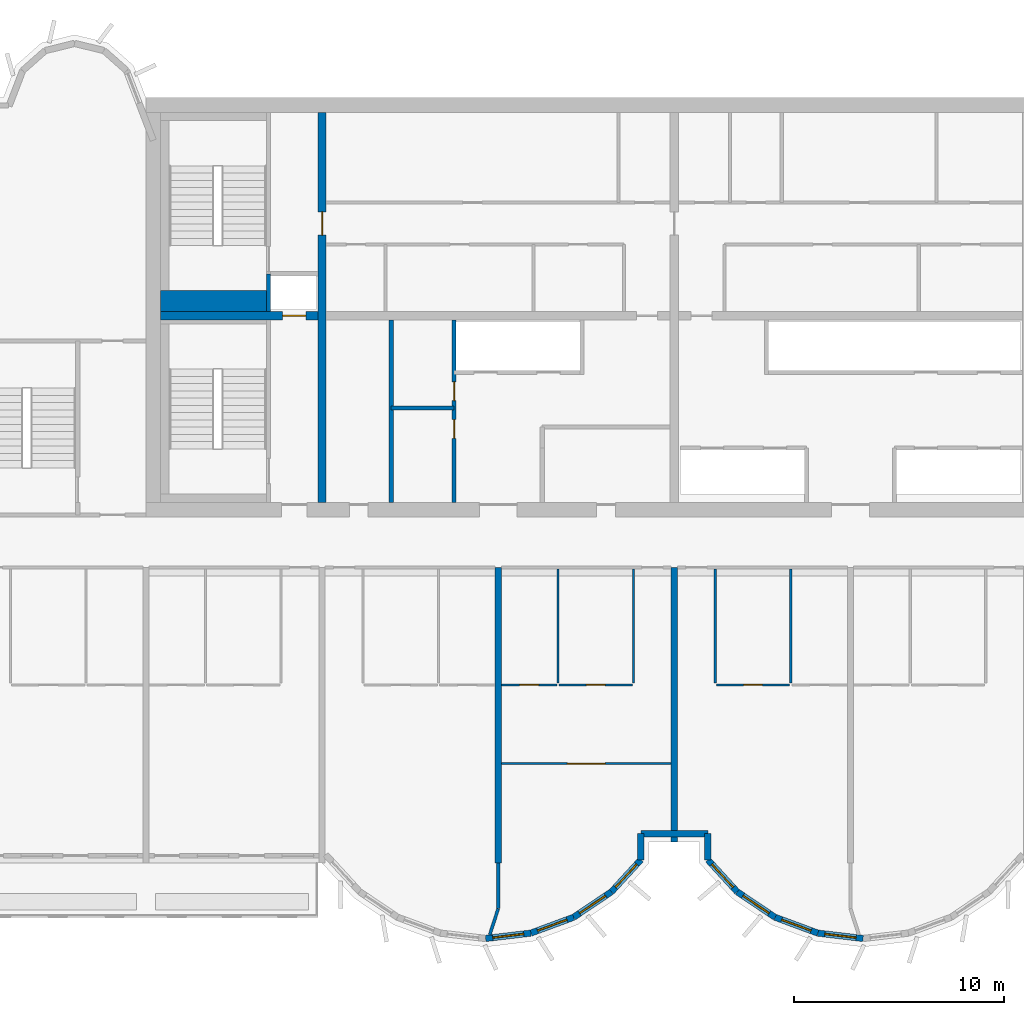
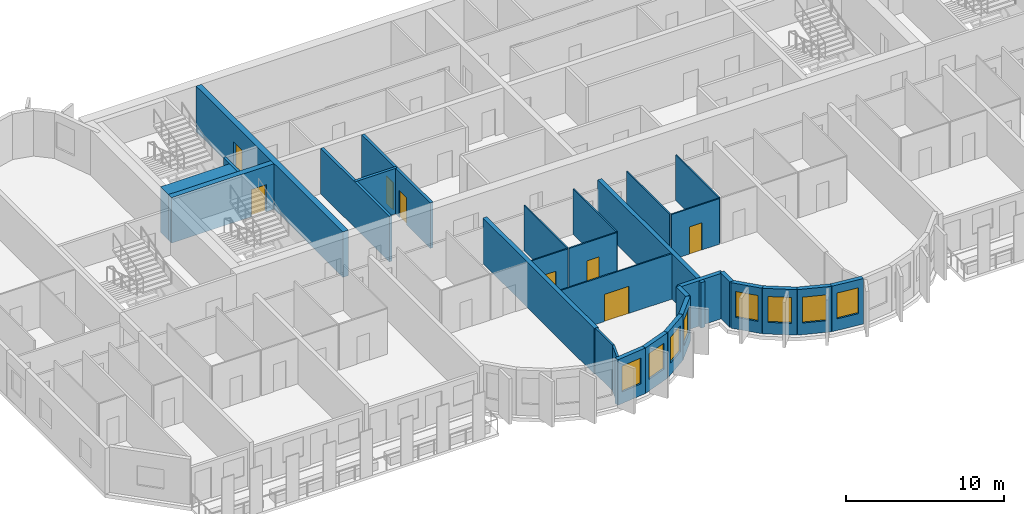
# One storey, part 4 of 13: 30 walls, 8 doors, 8 windows, 16 openings.
"""IFC4 building model written with IfcOpenShell, lengths in metres."""

from ifc_helpers import new_model, si_unit, direction, frame, frame_2d, origin, place, context, subcontext, project, spatial, rectangle, extrude, source, transform, mapped, material, layer, layer_set, type_object, element, fill, save


model = new_model("IFC4")

# Units and contexts
model_context = context("Model", 3, precision=1e-05, world=origin(), true_north=direction((0.0, 1.0)))
body_context = subcontext(model_context, "Body", "Model", "MODEL_VIEW")
ifc_project = project(units=[si_unit("LENGTHUNIT", "METRE"), si_unit("AREAUNIT", "SQUARE_METRE"), si_unit("VOLUMEUNIT", "CUBIC_METRE"), si_unit("PLANEANGLEUNIT", "RADIAN"), si_unit("MASSUNIT", "GRAM", prefix="KILO")], contexts=[model_context])

# Site, building, storey
site_placement = place(None, origin())
site = spatial("IfcSite", under=ifc_project, at=site_placement, CompositionType="ELEMENT")
building_placement = place(site_placement, origin())
building = spatial("IfcBuilding", under=site, at=building_placement, Name="Vanashikhar Sky Hotel", CompositionType="ELEMENT")
storey_placement = place(building_placement, frame((0.0, 0.0, 185.800048828125)))
storey = spatial("IfcBuildingStorey", under=building, at=storey_placement, Name="L45", CompositionType="ELEMENT", Elevation=185.800048828125)

# Wall, opening, door
ifc_material_1 = material(Name="Concrete M60", Category="concrete")
ifc_layer_1 = layer(ifc_material_1, 0.39990234375)
ifc_layer_set_1 = layer_set([ifc_layer_1], Name="RC core inner wall 400 Concrete M60")
wall_type_1 = type_object("IfcWallType", Name="RC core inner wall 400 Concrete M60", PredefinedType="SHEAR", material=ifc_layer_set_1)
shared_shape_1 = source(origin(), body_context, "Body", "SweptSolid", [
    extrude(rectangle(XDim=18.60009765625, YDim=0.39990234375, at=frame_2d((9.300048828125, 0.0))), origin(), (0.0, 0.0, 1.0), 3.52001953125),
])
wall_1_placement = place(storey_placement, frame((33.60009765625, 22.699951171875, 0.0), z_axis=(0.0, 0.0, 1.0), x_axis=(0.0, 1.0, 0.0)))
wall_1 = element("IfcWall", 1, at=wall_1_placement, inside=storey, type_object=wall_type_1, Name="KW-L45-KX1", PredefinedType="SHEAR", context=body_context, shape_type="MappedRepresentation", body=[
    mapped(shared_shape_1, transform((0.0, 0.0, 0.0), scale=1.0)),
])
shared_shape_2 = source(origin(), body_context, "Body", "SweptSolid", [
    extrude(rectangle(XDim=1.10009765625, YDim=2.10009765625, at=frame_2d((0.550048828125, 1.050048828125))), frame((0.0, 0.2099609375, 0.0), z_axis=(0.0, -1.0, 0.0), x_axis=(1.0, 0.0, 0.0)), (0.0, 0.0, 1.0), 0.419921875),
])
opening_1_placement = place(wall_1_placement, frame((12.75, 0.0, 0.0)))
opening_1 = element("IfcOpeningElement", 2, at=opening_1_placement, cuts=wall_1, Name="Opening DC-4-C", PredefinedType="OPENING", context=body_context, shape_type="MappedRepresentation", body=[
    mapped(shared_shape_2, transform((0.0, 0.0, 0.0), scale=1.0)),
])
ifc_material_2 = material(Name="Steel", Category="steel")
door_type_1 = type_object("IfcDoorType", Name="Service door 1100 FD60", OperationType="NOTDEFINED", PredefinedType="DOOR", material=ifc_material_2)
shared_shape_3 = source(origin(), body_context, "Body", "SweptSolid", [
    extrude(rectangle(XDim=1.10009765625, YDim=2.10009765625, at=frame_2d((0.550048828125, 1.050048828125))), frame((0.0, 0.02490234375, 0.0), z_axis=(0.0, -1.0, 0.0), x_axis=(1.0, 0.0, 0.0)), (0.0, 0.0, 1.0), 0.050048828125),
])
door_1_placement = place(opening_1_placement, origin())
door_1 = element("IfcDoor", 3, at=door_1_placement, inside=storey, type_object=door_type_1, Name="Service door 1100 FD60", OperationType="SINGLE_SWING_RIGHT", OverallHeight=2.10009765625, OverallWidth=1.10009765625, PredefinedType="DOOR", context=body_context, shape_type="MappedRepresentation", body=[
    mapped(shared_shape_3, transform((0.0, 0.0, 0.0), scale=1.0)),
])
fill(opening_1, door_1)

shared_shape_4 = source(origin(), body_context, "Body", "SweptSolid", [
    extrude(rectangle(XDim=7.5, YDim=0.39990234375, at=frame_2d((3.75, 0.0))), origin(), (0.0, 0.0, 1.0), 3.52001953125),
])
wall_2_placement = place(storey_placement, frame((25.89990234375, 31.60009765625, 0.0), z_axis=(0.0, 0.0, 1.0), x_axis=(1.0, 0.0, 0.0)))
wall_2 = element("IfcWall", 4, at=wall_2_placement, inside=storey, type_object=wall_type_1, Name="KW-L45-KY1", PredefinedType="SHEAR", context=body_context, shape_type="MappedRepresentation", body=[
    mapped(shared_shape_4, transform((0.0, 0.0, 0.0), scale=1.0)),
])
opening_2_placement = place(wall_2_placement, frame((5.824951171875, 0.0, 0.0)))
opening_2 = element("IfcOpeningElement", 5, at=opening_2_placement, cuts=wall_2, Name="Opening LD", PredefinedType="OPENING", context=body_context, shape_type="MappedRepresentation", body=[
    mapped(shared_shape_2, transform((0.0, 0.0, 0.0), scale=1.0)),
])
ifc_material_3 = material(Name="Stainless steel", Category="steel")
door_type_2 = type_object("IfcDoorType", Name="Lift landing door 1100", OperationType="NOTDEFINED", PredefinedType="DOOR", material=ifc_material_3)
door_2_placement = place(opening_2_placement, origin())
door_2 = element("IfcDoor", 6, at=door_2_placement, inside=storey, type_object=door_type_2, Name="Lift landing door 1100", OperationType="SLIDING_TO_RIGHT", OverallHeight=2.10009765625, OverallWidth=1.10009765625, PredefinedType="DOOR", context=body_context, shape_type="MappedRepresentation", body=[
    mapped(shared_shape_3, transform((0.0, 0.0, 0.0), scale=1.0)),
])
fill(opening_2, door_2)

# Walls
ifc_layer_2 = layer(ifc_material_1, 0.300048828125)
ifc_layer_set_2 = layer_set([ifc_layer_2], Name="RC shear wall 300 Concrete M60")
wall_type_2 = type_object("IfcWallType", Name="RC shear wall 300 Concrete M60", PredefinedType="SHEAR", material=ifc_layer_set_2)
shared_shape_5 = source(origin(), body_context, "Body", "SweptSolid", [
    extrude(rectangle(XDim=14.10009765625, YDim=0.300048828125, at=frame_2d((7.050048828125, 0.0))), origin(), (0.0, 0.0, 1.0), 3.52001953125),
])
wall_3_placement = place(storey_placement, frame((42.0, 5.5, 0.0), z_axis=(0.0, 0.0, 1.0), x_axis=(0.0, 1.0, 0.0)))
element("IfcWall", 7, at=wall_3_placement, inside=storey, type_object=wall_type_2, Name="CW-L45-XW06-1", PredefinedType="SHEAR", context=body_context, shape_type="MappedRepresentation", body=[
    mapped(shared_shape_5, transform((0.0, 0.0, 0.0), scale=1.0)),
])
shared_shape_6 = source(origin(), body_context, "Body", "SweptSolid", [
    extrude(rectangle(XDim=13.10009765625, YDim=0.300048828125, at=frame_2d((6.550048828125, 0.0))), origin(), (0.0, 0.0, 1.0), 3.52001953125),
])
wall_4_placement = place(storey_placement, frame((50.39990234375, 6.5, 0.0), z_axis=(0.0, 0.0, 1.0), x_axis=(0.0, 1.0, 0.0)))
element("IfcWall", 8, at=wall_4_placement, inside=storey, type_object=wall_type_2, Name="CW-L45-XW07-1", PredefinedType="SHEAR", context=body_context, shape_type="MappedRepresentation", body=[
    mapped(shared_shape_6, transform((0.0, 0.0, 0.0), scale=1.0)),
])

# Wall, opening, window
ifc_material_4 = material(Name="Concrete M50", Category="concrete")
ifc_layer_3 = layer(ifc_material_4, 0.300048828125)
ifc_layer_set_3 = layer_set([ifc_layer_3], Name="Lobe wall 300")
wall_type_3 = type_object("IfcWallType", Name="Lobe wall 300", PredefinedType="SOLIDWALL", material=ifc_layer_set_3)
shared_shape_7 = source(origin(), body_context, "Body", "SweptSolid", [
    extrude(rectangle(XDim=2.17578125, YDim=0.300048828125, at=frame_2d((1.087890625, 0.0))), origin(), (0.0, 0.0, 1.0), 3.52001953125),
])
wall_5_placement = place(storey_placement, frame((45.59912109375, 2.91650390625, 0.0), z_axis=(0.0, 0.0, 1.0), x_axis=(0.829625727223, 0.558319937607, 0.0)))
wall_5 = element("IfcWall", 9, at=wall_5_placement, inside=storey, type_object=wall_type_3, Name="Lobe wall", PredefinedType="SOLIDWALL", context=body_context, shape_type="MappedRepresentation", body=[
    mapped(shared_shape_7, transform((0.0, 0.0, 0.0), scale=1.0)),
])
shared_shape_8 = source(origin(), body_context, "Body", "SweptSolid", [
    extrude(rectangle(XDim=1.5, YDim=2.0, at=frame_2d((0.75, 1.0))), frame((0.0, 0.16015625, 0.0), z_axis=(0.0, -1.0, 0.0), x_axis=(1.0, 0.0, 0.0)), (0.0, 0.0, 1.0), 0.320068359375),
])
opening_3_placement = place(wall_5_placement, frame((0.337890625, 0.0, 0.89990234375)))
opening_3 = element("IfcOpeningElement", 10, at=opening_3_placement, cuts=wall_5, Name="Opening WN-2", PredefinedType="OPENING", context=body_context, shape_type="MappedRepresentation", body=[
    mapped(shared_shape_8, transform((0.0, 0.0, 0.0), scale=1.0)),
])
ifc_material_5 = material(Name="Glass", Category="glass")
window_type = type_object("IfcWindowType", Name="Lobe window 1500 x 2000", PartitioningType="SINGLE_PANEL", PredefinedType="WINDOW", material=ifc_material_5)
shared_shape_9 = source(origin(), body_context, "Body", "SweptSolid", [
    extrude(rectangle(XDim=1.5, YDim=2.0, at=frame_2d((0.75, 1.0))), frame((0.0, 0.030029296875, 0.0), z_axis=(0.0, -1.0, 0.0), x_axis=(1.0, 0.0, 0.0)), (0.0, 0.0, 1.0), 0.06005859375),
])
window_1_placement = place(opening_3_placement, origin())
window_1 = element("IfcWindow", 11, at=window_1_placement, inside=storey, type_object=window_type, Name="Window WN-2", OverallHeight=2.0, OverallWidth=1.5, PartitioningType="SINGLE_PANEL", PredefinedType="WINDOW", context=body_context, shape_type="MappedRepresentation", body=[
    mapped(shared_shape_9, transform((0.0, 0.0, 0.0), scale=1.0)),
])
fill(opening_3, window_1)

wall_6_placement = place(storey_placement, frame((53.395751953125, 4.13134765625, 0.0), z_axis=(0.0, 0.0, 1.0), x_axis=(0.829590746428, -0.558371913192, 0.0)))
wall_6 = element("IfcWall", 12, at=wall_6_placement, inside=storey, type_object=wall_type_3, Name="Lobe wall", PredefinedType="SOLIDWALL", context=body_context, shape_type="MappedRepresentation", body=[
    mapped(shared_shape_7, transform((0.0, 0.0, 0.0), scale=1.0)),
])
opening_4_placement = place(wall_6_placement, frame((0.337890625, 0.0, 0.89990234375)))
opening_4 = element("IfcOpeningElement", 13, at=opening_4_placement, cuts=wall_6, Name="Opening WN-2", PredefinedType="OPENING", context=body_context, shape_type="MappedRepresentation", body=[
    mapped(shared_shape_8, transform((0.0, 0.0, 0.0), scale=1.0)),
])
window_2_placement = place(opening_4_placement, origin())
window_2 = element("IfcWindow", 14, at=window_2_placement, inside=storey, type_object=window_type, Name="Window WN-2", OverallHeight=2.0, OverallWidth=1.5, PartitioningType="SINGLE_PANEL", PredefinedType="WINDOW", context=body_context, shape_type="MappedRepresentation", body=[
    mapped(shared_shape_9, transform((0.0, 0.0, 0.0), scale=1.0)),
])
fill(opening_4, window_2)

wall_7_placement = place(storey_placement, frame((55.20068359375, 2.91650390625, 0.0), z_axis=(0.0, 0.0, 1.0), x_axis=(0.93754555999, -0.347862505801, 0.0)))
wall_7 = element("IfcWall", 15, at=wall_7_placement, inside=storey, type_object=wall_type_3, Name="Lobe wall", PredefinedType="SOLIDWALL", context=body_context, shape_type="MappedRepresentation", body=[
    mapped(shared_shape_7, transform((0.0, 0.0, 0.0), scale=1.0)),
])
opening_5_placement = place(wall_7_placement, frame((0.337890625, 0.0, 0.89990234375)))
opening_5 = element("IfcOpeningElement", 16, at=opening_5_placement, cuts=wall_7, Name="Opening WN-2", PredefinedType="OPENING", context=body_context, shape_type="MappedRepresentation", body=[
    mapped(shared_shape_8, transform((0.0, 0.0, 0.0), scale=1.0)),
])
window_3_placement = place(opening_5_placement, origin())
window_3 = element("IfcWindow", 17, at=window_3_placement, inside=storey, type_object=window_type, Name="Window WN-2", OverallHeight=2.0, OverallWidth=1.5, PartitioningType="SINGLE_PANEL", PredefinedType="WINDOW", context=body_context, shape_type="MappedRepresentation", body=[
    mapped(shared_shape_9, transform((0.0, 0.0, 0.0), scale=1.0)),
])
fill(opening_5, window_3)

shared_shape_10 = source(origin(), body_context, "Body", "SweptSolid", [
    extrude(rectangle(XDim=2.174560546875, YDim=0.300048828125, at=frame_2d((1.08740234375, 0.0))), origin(), (0.0, 0.0, 1.0), 3.52001953125),
])
wall_8_placement = place(storey_placement, frame((57.240478515625, 2.15966796875, 0.0), z_axis=(0.0, 0.0, 1.0), x_axis=(0.993001132889, -0.118104826659, 0.0)))
wall_8 = element("IfcWall", 18, at=wall_8_placement, inside=storey, type_object=wall_type_3, Name="Lobe wall", PredefinedType="SOLIDWALL", context=body_context, shape_type="MappedRepresentation", body=[
    mapped(shared_shape_10, transform((0.0, 0.0, 0.0), scale=1.0)),
])
opening_6_placement = place(wall_8_placement, frame((0.33740234375, 0.0, 0.89990234375)))
opening_6 = element("IfcOpeningElement", 19, at=opening_6_placement, cuts=wall_8, Name="Opening WN-2", PredefinedType="OPENING", context=body_context, shape_type="MappedRepresentation", body=[
    mapped(shared_shape_8, transform((0.0, 0.0, 0.0), scale=1.0)),
])
window_4_placement = place(opening_6_placement, origin())
window_4 = element("IfcWindow", 20, at=window_4_placement, inside=storey, type_object=window_type, Name="Window WN-2", OverallHeight=2.0, OverallWidth=1.5, PartitioningType="SINGLE_PANEL", PredefinedType="WINDOW", context=body_context, shape_type="MappedRepresentation", body=[
    mapped(shared_shape_9, transform((0.0, 0.0, 0.0), scale=1.0)),
])
fill(opening_6, window_4)

shared_shape_11 = source(origin(), body_context, "Body", "SweptSolid", [
    extrude(rectangle(XDim=2.1748046875, YDim=0.300048828125, at=frame_2d((1.08740234375, 0.0))), origin(), (0.0, 0.0, 1.0), 3.52001953125),
])
wall_9_placement = place(storey_placement, frame((41.39990234375, 1.90283203125, 0.0), z_axis=(0.0, 0.0, 1.0), x_axis=(0.993002698611, 0.118091661648, 0.0)))
wall_9 = element("IfcWall", 21, at=wall_9_placement, inside=storey, type_object=wall_type_3, Name="Lobe wall", PredefinedType="SOLIDWALL", context=body_context, shape_type="MappedRepresentation", body=[
    mapped(shared_shape_11, transform((0.0, 0.0, 0.0), scale=1.0)),
])
opening_7_placement = place(wall_9_placement, frame((0.33740234375, 0.0, 0.89990234375)))
opening_7 = element("IfcOpeningElement", 22, at=opening_7_placement, cuts=wall_9, Name="Opening WN-2", PredefinedType="OPENING", context=body_context, shape_type="MappedRepresentation", body=[
    mapped(shared_shape_8, transform((0.0, 0.0, 0.0), scale=1.0)),
])
window_5_placement = place(opening_7_placement, origin())
window_5 = element("IfcWindow", 23, at=window_5_placement, inside=storey, type_object=window_type, Name="Window WN-2", OverallHeight=2.0, OverallWidth=1.5, PartitioningType="SINGLE_PANEL", PredefinedType="WINDOW", context=body_context, shape_type="MappedRepresentation", body=[
    mapped(shared_shape_9, transform((0.0, 0.0, 0.0), scale=1.0)),
])
fill(opening_7, window_5)

shared_shape_12 = source(origin(), body_context, "Body", "SweptSolid", [
    extrude(rectangle(XDim=2.175537109375, YDim=0.300048828125, at=frame_2d((1.087890625, 0.0))), origin(), (0.0, 0.0, 1.0), 3.52001953125),
])
wall_10_placement = place(storey_placement, frame((43.5595703125, 2.15966796875, 0.0), z_axis=(0.0, 0.0, 1.0), x_axis=(0.937531979054, 0.347899106424, 0.0)))
wall_10 = element("IfcWall", 24, at=wall_10_placement, inside=storey, type_object=wall_type_3, Name="Lobe wall", PredefinedType="SOLIDWALL", context=body_context, shape_type="MappedRepresentation", body=[
    mapped(shared_shape_12, transform((0.0, 0.0, 0.0), scale=1.0)),
])
opening_8_placement = place(wall_10_placement, frame((0.337890625, 0.0, 0.89990234375)))
opening_8 = element("IfcOpeningElement", 25, at=opening_8_placement, cuts=wall_10, Name="Opening WN-2", PredefinedType="OPENING", context=body_context, shape_type="MappedRepresentation", body=[
    mapped(shared_shape_8, transform((0.0, 0.0, 0.0), scale=1.0)),
])
window_6_placement = place(opening_8_placement, origin())
window_6 = element("IfcWindow", 26, at=window_6_placement, inside=storey, type_object=window_type, Name="Window WN-2", OverallHeight=2.0, OverallWidth=1.5, PartitioningType="SINGLE_PANEL", PredefinedType="WINDOW", context=body_context, shape_type="MappedRepresentation", body=[
    mapped(shared_shape_9, transform((0.0, 0.0, 0.0), scale=1.0)),
])
fill(opening_8, window_6)

shared_shape_13 = source(origin(), body_context, "Body", "SweptSolid", [
    extrude(rectangle(XDim=2.066650390625, YDim=0.300048828125, at=frame_2d((1.033203125, 0.0))), origin(), (0.0, 0.0, 1.0), 3.52001953125),
])
wall_11_placement = place(storey_placement, frame((47.404296875, 4.13134765625, 0.0), z_axis=(0.0, 0.0, 1.0), x_axis=(0.675355439877, 0.737492393065, 0.0)))
wall_11 = element("IfcWall", 27, at=wall_11_placement, inside=storey, type_object=wall_type_3, Name="Lobe wall", PredefinedType="SOLIDWALL", context=body_context, shape_type="MappedRepresentation", body=[
    mapped(shared_shape_13, transform((0.0, 0.0, 0.0), scale=1.0)),
])
opening_9_placement = place(wall_11_placement, frame((0.283447265625, 0.0, 0.89990234375)))
opening_9 = element("IfcOpeningElement", 28, at=opening_9_placement, cuts=wall_11, Name="Opening WN-2", PredefinedType="OPENING", context=body_context, shape_type="MappedRepresentation", body=[
    mapped(shared_shape_8, transform((0.0, 0.0, 0.0), scale=1.0)),
])
window_7_placement = place(opening_9_placement, origin())
window_7 = element("IfcWindow", 29, at=window_7_placement, inside=storey, type_object=window_type, Name="Window WN-2", OverallHeight=2.0, OverallWidth=1.5, PartitioningType="SINGLE_PANEL", PredefinedType="WINDOW", context=body_context, shape_type="MappedRepresentation", body=[
    mapped(shared_shape_9, transform((0.0, 0.0, 0.0), scale=1.0)),
])
fill(opening_9, window_7)

wall_12_placement = place(storey_placement, frame((52.0, 5.655517578125, 0.0), z_axis=(0.0, 0.0, 1.0), x_axis=(0.675355439877, -0.737492393065, 0.0)))
wall_12 = element("IfcWall", 30, at=wall_12_placement, inside=storey, type_object=wall_type_3, Name="Lobe wall", PredefinedType="SOLIDWALL", context=body_context, shape_type="MappedRepresentation", body=[
    mapped(shared_shape_13, transform((0.0, 0.0, 0.0), scale=1.0)),
])
opening_10_placement = place(wall_12_placement, frame((0.283447265625, 0.0, 0.89990234375)))
opening_10 = element("IfcOpeningElement", 31, at=opening_10_placement, cuts=wall_12, Name="Opening WN-2", PredefinedType="OPENING", context=body_context, shape_type="MappedRepresentation", body=[
    mapped(shared_shape_8, transform((0.0, 0.0, 0.0), scale=1.0)),
])
window_8_placement = place(opening_10_placement, origin())
window_8 = element("IfcWindow", 32, at=window_8_placement, inside=storey, type_object=window_type, Name="Window WN-2", OverallHeight=2.0, OverallWidth=1.5, PartitioningType="SINGLE_PANEL", PredefinedType="WINDOW", context=body_context, shape_type="MappedRepresentation", body=[
    mapped(shared_shape_9, transform((0.0, 0.0, 0.0), scale=1.0)),
])
fill(opening_10, window_8)

# Walls
shared_shape_14 = source(origin(), body_context, "Body", "SweptSolid", [
    extrude(rectangle(XDim=1.244384765625, YDim=0.300048828125, at=frame_2d((0.6220703125, 0.0))), origin(), (0.0, 0.0, 1.0), 3.52001953125),
])
for number, where, z_axis, x_axis, name in (
    (33, (48.800048828125, 5.655517578125, 0.0), (0.0, 0.0, 1.0), (0.0, 1.0, 0.0), "Groove wall"),
    (34, (52.0, 6.89990234375, 0.0), (0.0, 0.0, 1.0), (0.0, -1.0, 0.0), "Groove wall"),
):
    element("IfcWall", number, at=place(storey_placement, frame(where, z_axis=z_axis, x_axis=x_axis)), inside=storey, type_object=wall_type_3, Name=name, PredefinedType="SOLIDWALL", context=body_context, shape_type="MappedRepresentation", body=[
        mapped(shared_shape_14, transform((0.0, 0.0, 0.0), scale=1.0)),
    ])
shared_shape_15 = source(origin(), body_context, "Body", "SweptSolid", [
    extrude(rectangle(XDim=3.199951171875, YDim=0.300048828125, at=frame_2d((1.60009765625, 0.0))), origin(), (0.0, 0.0, 1.0), 3.52001953125),
])
wall_13_placement = place(storey_placement, frame((48.800048828125, 6.89990234375, 0.0), z_axis=(0.0, 0.0, 1.0), x_axis=(1.0, 0.0, 0.0)))
element("IfcWall", 35, at=wall_13_placement, inside=storey, type_object=wall_type_3, Name="Groove wall", PredefinedType="SOLIDWALL", context=body_context, shape_type="MappedRepresentation", body=[
    mapped(shared_shape_15, transform((0.0, 0.0, 0.0), scale=1.0)),
])

# Wall, openings, doors
ifc_material_6 = material(Name="Gypsum board partition")
ifc_layer_4 = layer(ifc_material_6, 0.14990234375)
ifc_layer_set_4 = layer_set([ifc_layer_4], Name="Service partition 150")
wall_type_4 = type_object("IfcWallType", Name="Service partition 150", PredefinedType="PARTITIONING", material=ifc_layer_set_4)
shared_shape_16 = source(origin(), body_context, "Body", "SweptSolid", [
    extrude(rectangle(XDim=8.699951171875, YDim=0.199951171875, at=frame_2d((4.35009765625, 0.0))), origin(), (0.0, 0.0, 1.0), 3.52001953125),
])
wall_14_placement = place(storey_placement, frame((39.89990234375, 22.699951171875, 0.0), z_axis=(0.0, 0.0, 1.0), x_axis=(0.0, 1.0, 0.0)))
wall_14 = element("IfcWall", 36, at=wall_14_placement, inside=storey, type_object=wall_type_4, Name="Service partition 150", PredefinedType="PARTITIONING", context=body_context, shape_type="MappedRepresentation", body=[
    mapped(shared_shape_16, transform((0.0, 0.0, 0.0), scale=1.0)),
])
shared_shape_17 = source(origin(), body_context, "Body", "SweptSolid", [
    extrude(rectangle(XDim=0.89990234375, YDim=2.10009765625, at=frame_2d((0.449951171875, 1.050048828125))), frame((0.0, 0.10986328125, 0.0), z_axis=(0.0, -1.0, 0.0), x_axis=(1.0, 0.0, 0.0)), (0.0, 0.0, 1.0), 0.219970703125),
])
opening_11_placement = place(wall_14_placement, frame((3.050048828125, 0.0, 0.0)))
opening_11 = element("IfcOpeningElement", 37, at=opening_11_placement, cuts=wall_14, Name="Opening DC-4-A", PredefinedType="OPENING", context=body_context, shape_type="MappedRepresentation", body=[
    mapped(shared_shape_17, transform((0.0, 0.0, 0.0), scale=1.0)),
])
opening_12_placement = place(wall_14_placement, frame((4.85009765625, 0.0, 0.0)))
opening_12 = element("IfcOpeningElement", 38, at=opening_12_placement, cuts=wall_14, Name="Opening DC-4-A", PredefinedType="OPENING", context=body_context, shape_type="MappedRepresentation", body=[
    mapped(shared_shape_17, transform((0.0, 0.0, 0.0), scale=1.0)),
])
door_type_3 = type_object("IfcDoorType", Name="Service door 900 FD60", OperationType="NOTDEFINED", PredefinedType="DOOR", material=ifc_material_2)
shared_shape_18 = source(origin(), body_context, "Body", "SweptSolid", [
    extrude(rectangle(XDim=0.89990234375, YDim=2.10009765625, at=frame_2d((0.449951171875, 1.050048828125))), frame((0.0, 0.02490234375, 0.0), z_axis=(0.0, -1.0, 0.0), x_axis=(1.0, 0.0, 0.0)), (0.0, 0.0, 1.0), 0.050048828125),
])
door_3_placement = place(opening_11_placement, origin())
door_3 = element("IfcDoor", 39, at=door_3_placement, inside=storey, type_object=door_type_3, Name="Service door 900 FD60", OperationType="SINGLE_SWING_LEFT", OverallHeight=2.10009765625, OverallWidth=0.89990234375, PredefinedType="DOOR", context=body_context, shape_type="MappedRepresentation", body=[
    mapped(shared_shape_18, transform((0.0, 0.0, 0.0), scale=1.0)),
])
fill(opening_11, door_3)
door_4_placement = place(opening_12_placement, origin())
door_4 = element("IfcDoor", 40, at=door_4_placement, inside=storey, type_object=door_type_3, Name="Service door 900 FD60", OperationType="SINGLE_SWING_RIGHT", OverallHeight=2.10009765625, OverallWidth=0.89990234375, PredefinedType="DOOR", context=body_context, shape_type="MappedRepresentation", body=[
    mapped(shared_shape_18, transform((0.0, 0.0, 0.0), scale=1.0)),
])
fill(opening_12, door_4)

# Walls
wall_15_placement = place(storey_placement, frame((36.89990234375, 22.699951171875, 0.0), z_axis=(0.0, 0.0, 1.0), x_axis=(0.0, 1.0, 0.0)))
element("IfcWall", 41, at=wall_15_placement, inside=storey, type_object=wall_type_4, Name="Service partition 150", PredefinedType="PARTITIONING", context=body_context, shape_type="MappedRepresentation", body=[
    mapped(shared_shape_16, transform((0.0, 0.0, 0.0), scale=1.0)),
])
ifc_material_7 = material(Name="Concrete M40", Category="concrete")
ifc_layer_5 = layer(ifc_material_7, 0.199951171875)
ifc_layer_set_5 = layer_set([ifc_layer_5], Name="Shaft wall 200")
wall_type_5 = type_object("IfcWallType", Name="Shaft wall 200", PredefinedType="SOLIDWALL", material=ifc_layer_set_5)
shared_shape_19 = source(origin(), body_context, "Body", "SweptSolid", [
    extrude(rectangle(XDim=1.800048828125, YDim=0.199951171875, at=frame_2d((0.89990234375, 0.0))), origin(), (0.0, 0.0, 1.0), 3.52001953125),
])
wall_16_placement = place(storey_placement, frame((31.050048828125, 31.800048828125, 0.0), z_axis=(0.0, 0.0, 1.0), x_axis=(0.0, 1.0, 0.0)))
element("IfcWall", 42, at=wall_16_placement, inside=storey, type_object=wall_type_5, Name="Shaft wall 200", PredefinedType="SOLIDWALL", context=body_context, shape_type="MappedRepresentation", body=[
    mapped(shared_shape_19, transform((0.0, 0.0, 0.0), scale=1.0)),
])
ifc_layer_6 = layer(ifc_material_4, 1.0)
ifc_layer_set_6 = layer_set([ifc_layer_6], Name="Stair infill wall 1000")
wall_type_6 = type_object("IfcWallType", Name="Stair infill wall 1000", PredefinedType="SOLIDWALL", material=ifc_layer_set_6)
shared_shape_20 = source(origin(), body_context, "Body", "SweptSolid", [
    extrude(rectangle(XDim=5.050048828125, YDim=1.0, at=frame_2d((2.52490234375, 0.0))), origin(), (0.0, 0.0, 1.0), 3.52001953125),
])
wall_17_placement = place(storey_placement, frame((25.89990234375, 32.300048828125, 0.0), z_axis=(0.0, 0.0, 1.0), x_axis=(1.0, 0.0, 0.0)))
element("IfcWall", 43, at=wall_17_placement, inside=storey, type_object=wall_type_6, Name="Stair infill wall 1000", PredefinedType="SOLIDWALL", context=body_context, shape_type="MappedRepresentation", body=[
    mapped(shared_shape_20, transform((0.0, 0.0, 0.0), scale=1.0)),
])
shared_shape_21 = source(origin(), body_context, "Body", "SweptSolid", [
    extrude(rectangle(XDim=3.0, YDim=0.199951171875, at=frame_2d((1.5, 0.0))), origin(), (0.0, 0.0, 1.0), 3.52001953125),
])
wall_18_placement = place(storey_placement, frame((36.89990234375, 27.199951171875, 0.0), z_axis=(0.0, 0.0, 1.0), x_axis=(1.0, 0.0, 0.0)))
element("IfcWall", 44, at=wall_18_placement, inside=storey, type_object=wall_type_4, Name="Service partition 150", PredefinedType="PARTITIONING", context=body_context, shape_type="MappedRepresentation", body=[
    mapped(shared_shape_21, transform((0.0, 0.0, 0.0), scale=1.0)),
])
ifc_material_8 = material(Name="Gypsum plasterboard partition")
ifc_layer_7 = layer(ifc_material_8, 0.14990234375)
ifc_layer_set_7 = layer_set([ifc_layer_7], Name="Corridor and demising partition 150")
wall_type_7 = type_object("IfcWallType", Name="Corridor and demising partition 150", PredefinedType="PARTITIONING", material=ifc_layer_set_7)
shared_shape_22 = source(origin(), body_context, "Body", "SweptSolid", [
    extrude(rectangle(XDim=2.177978515625, YDim=0.14990234375, at=frame_2d((1.0888671875, 0.0))), origin(), (0.0, 0.0, 1.0), 3.52001953125),
])
wall_19_placement = place(storey_placement, frame((42.0, 3.322021484375, 0.0), z_axis=(0.0, 0.0, 1.0), x_axis=(0.0, 1.0, 0.0)))
element("IfcWall", 45, at=wall_19_placement, inside=storey, type_object=wall_type_7, Name="W-L45-PW058", PredefinedType="PARTITIONING", context=body_context, shape_type="MappedRepresentation", body=[
    mapped(shared_shape_22, transform((0.0, 0.0, 0.0), scale=1.0)),
])

# Wall, opening, door
ifc_layer_8 = layer(ifc_material_8, 0.10009765625)
ifc_layer_set_8 = layer_set([ifc_layer_8], Name="Wet room partition 100")
wall_type_8 = type_object("IfcWallType", Name="Wet room partition 100", PredefinedType="PARTITIONING", material=ifc_layer_set_8)
shared_shape_23 = source(origin(), body_context, "Body", "SweptSolid", [
    extrude(rectangle(XDim=3.5, YDim=0.10009765625, at=frame_2d((1.75, 0.0))), origin(), (0.0, 0.0, 1.0), 3.52001953125),
])
wall_20_placement = place(storey_placement, frame((44.89990234375, 14.0, 0.0), z_axis=(0.0, 0.0, 1.0), x_axis=(1.0, 0.0, 0.0)))
wall_20 = element("IfcWall", 46, at=wall_20_placement, inside=storey, type_object=wall_type_8, Name="W-L45-PW025", PredefinedType="PARTITIONING", context=body_context, shape_type="MappedRepresentation", body=[
    mapped(shared_shape_23, transform((0.0, 0.0, 0.0), scale=1.0)),
])
shared_shape_24 = source(origin(), body_context, "Body", "SweptSolid", [
    extrude(rectangle(XDim=0.89990234375, YDim=2.10009765625, at=frame_2d((0.449951171875, 1.050048828125))), frame((0.0, 0.06005859375, 0.0), z_axis=(0.0, -1.0, 0.0), x_axis=(1.0, 0.0, 0.0)), (0.0, 0.0, 1.0), 0.1201171875),
])
opening_13_placement = place(wall_20_placement, frame((1.300048828125, 0.0, 0.0)))
opening_13 = element("IfcOpeningElement", 47, at=opening_13_placement, cuts=wall_20, Name="Opening D-02", PredefinedType="OPENING", context=body_context, shape_type="MappedRepresentation", body=[
    mapped(shared_shape_24, transform((0.0, 0.0, 0.0), scale=1.0)),
])
ifc_material_9 = material(Name="Timber door", Category="wood")
door_type_4 = type_object("IfcDoorType", Name="Internal door 900", OperationType="NOTDEFINED", PredefinedType="DOOR", material=ifc_material_9)
door_5_placement = place(opening_13_placement, origin())
door_5 = element("IfcDoor", 48, at=door_5_placement, inside=storey, type_object=door_type_4, Name="D-L45-014", OperationType="SINGLE_SWING_RIGHT", OverallHeight=2.10009765625, OverallWidth=0.89990234375, PredefinedType="DOOR", context=body_context, shape_type="MappedRepresentation", body=[
    mapped(shared_shape_18, transform((0.0, 0.0, 0.0), scale=1.0)),
])
fill(opening_13, door_5)

wall_21_placement = place(storey_placement, frame((52.39990234375, 14.0, 0.0), z_axis=(0.0, 0.0, 1.0), x_axis=(1.0, 0.0, 0.0)))
wall_21 = element("IfcWall", 49, at=wall_21_placement, inside=storey, type_object=wall_type_8, Name="W-L45-PW031", PredefinedType="PARTITIONING", context=body_context, shape_type="MappedRepresentation", body=[
    mapped(shared_shape_23, transform((0.0, 0.0, 0.0), scale=1.0)),
])
opening_14_placement = place(wall_21_placement, frame((1.300048828125, 0.0, 0.0)))
opening_14 = element("IfcOpeningElement", 50, at=opening_14_placement, cuts=wall_21, Name="Opening D-02", PredefinedType="OPENING", context=body_context, shape_type="MappedRepresentation", body=[
    mapped(shared_shape_24, transform((0.0, 0.0, 0.0), scale=1.0)),
])
door_6_placement = place(opening_14_placement, origin())
door_6 = element("IfcDoor", 51, at=door_6_placement, inside=storey, type_object=door_type_4, Name="D-L45-018", OperationType="SINGLE_SWING_LEFT", OverallHeight=2.10009765625, OverallWidth=0.89990234375, PredefinedType="DOOR", context=body_context, shape_type="MappedRepresentation", body=[
    mapped(shared_shape_18, transform((0.0, 0.0, 0.0), scale=1.0)),
])
fill(opening_14, door_6)

# Walls
shared_shape_25 = source(origin(), body_context, "Body", "SweptSolid", [
    extrude(rectangle(XDim=1.308349609375, YDim=0.14990234375, at=frame_2d((0.654296875, 0.0))), origin(), (0.0, 0.0, 1.0), 3.52001953125),
])
wall_22_placement = place(storey_placement, frame((41.597900390625, 2.076904296875, 0.0), z_axis=(0.0, 0.0, 1.0), x_axis=(0.307313512187, 0.951608325535, 0.0)))
element("IfcWall", 52, at=wall_22_placement, inside=storey, type_object=wall_type_7, Name="W-L45-PW058B0", PredefinedType="PARTITIONING", context=body_context, shape_type="MappedRepresentation", body=[
    mapped(shared_shape_25, transform((0.0, 0.0, 0.0), scale=1.0)),
])
shared_shape_26 = source(origin(), body_context, "Body", "SweptSolid", [
    extrude(rectangle(XDim=5.449951171875, YDim=0.10009765625, at=frame_2d((2.72509765625, 0.0))), origin(), (0.0, 0.0, 1.0), 3.52001953125),
])
for number, where, z_axis, x_axis, name in (
    (53, (48.449951171875, 14.074951171875, 0.0), (0.0, 0.0, 1.0), (0.0, 1.0, 0.0), "W-L45-PW023"),
    (54, (44.85009765625, 14.074951171875, 0.0), (0.0, 0.0, 1.0), (0.0, 1.0, 0.0), "W-L45-PW024"),
    (55, (52.35009765625, 14.074951171875, 0.0), (0.0, 0.0, 1.0), (0.0, 1.0, 0.0), "W-L45-PW029"),
    (56, (55.949951171875, 14.074951171875, 0.0), (0.0, 0.0, 1.0), (0.0, 1.0, 0.0), "W-L45-PW030"),
):
    element("IfcWall", number, at=place(storey_placement, frame(where, z_axis=z_axis, x_axis=x_axis)), inside=storey, type_object=wall_type_8, Name=name, PredefinedType="PARTITIONING", context=body_context, shape_type="MappedRepresentation", body=[
        mapped(shared_shape_26, transform((0.0, 0.0, 0.0), scale=1.0)),
    ])

# Wall, opening, door
shared_shape_27 = source(origin(), body_context, "Body", "SweptSolid", [
    extrude(rectangle(XDim=2.650146484375, YDim=0.10009765625, at=frame_2d((1.3251953125, 0.0))), origin(), (0.0, 0.0, 1.0), 3.52001953125),
])
wall_23_placement = place(storey_placement, frame((42.14990234375, 14.0, 0.0), z_axis=(0.0, 0.0, 1.0), x_axis=(1.0, 0.0, 0.0)))
wall_23 = element("IfcWall", 57, at=wall_23_placement, inside=storey, type_object=wall_type_8, Name="W-L45-PW026", PredefinedType="PARTITIONING", context=body_context, shape_type="MappedRepresentation", body=[
    mapped(shared_shape_27, transform((0.0, 0.0, 0.0), scale=1.0)),
])
opening_15_placement = place(wall_23_placement, frame((0.875, 0.0, 0.0)))
opening_15 = element("IfcOpeningElement", 58, at=opening_15_placement, cuts=wall_23, Name="Opening D-02", PredefinedType="OPENING", context=body_context, shape_type="MappedRepresentation", body=[
    mapped(shared_shape_24, transform((0.0, 0.0, 0.0), scale=1.0)),
])
door_7_placement = place(opening_15_placement, origin())
door_7 = element("IfcDoor", 59, at=door_7_placement, inside=storey, type_object=door_type_4, Name="D-L45-015", OperationType="SINGLE_SWING_RIGHT", OverallHeight=2.10009765625, OverallWidth=0.89990234375, PredefinedType="DOOR", context=body_context, shape_type="MappedRepresentation", body=[
    mapped(shared_shape_18, transform((0.0, 0.0, 0.0), scale=1.0)),
])
fill(opening_15, door_7)

shared_shape_28 = source(origin(), body_context, "Body", "SweptSolid", [
    extrude(rectangle(XDim=8.10009765625, YDim=0.10009765625, at=frame_2d((4.050048828125, 0.0))), origin(), (0.0, 0.0, 1.0), 3.52001953125),
])
wall_24_placement = place(storey_placement, frame((42.14990234375, 10.242919921875, 0.0), z_axis=(0.0, 0.0, 1.0), x_axis=(1.0, 0.0, 0.0)))
wall_24 = element("IfcWall", 60, at=wall_24_placement, inside=storey, type_object=wall_type_8, Name="W-L45-PW027", PredefinedType="PARTITIONING", context=body_context, shape_type="MappedRepresentation", body=[
    mapped(shared_shape_28, transform((0.0, 0.0, 0.0), scale=1.0)),
])
shared_shape_29 = source(origin(), body_context, "Body", "SweptSolid", [
    extrude(rectangle(XDim=1.800048828125, YDim=2.10009765625, at=frame_2d((0.89990234375, 1.050048828125))), frame((0.0, 0.06005859375, 0.0), z_axis=(0.0, -1.0, 0.0), x_axis=(1.0, 0.0, 0.0)), (0.0, 0.0, 1.0), 0.1201171875),
])
opening_16_placement = place(wall_24_placement, frame((3.14990234375, 0.0, 0.0)))
opening_16 = element("IfcOpeningElement", 61, at=opening_16_placement, cuts=wall_24, Name="Opening D-08", PredefinedType="OPENING", context=body_context, shape_type="MappedRepresentation", body=[
    mapped(shared_shape_29, transform((0.0, 0.0, 0.0), scale=1.0)),
])
door_type_5 = type_object("IfcDoorType", Name="Double leaf door 1800", OperationType="NOTDEFINED", PredefinedType="DOOR", material=ifc_material_9)
shared_shape_30 = source(origin(), body_context, "Body", "SweptSolid", [
    extrude(rectangle(XDim=1.800048828125, YDim=2.10009765625, at=frame_2d((0.89990234375, 1.050048828125))), frame((0.0, 0.02490234375, 0.0), z_axis=(0.0, -1.0, 0.0), x_axis=(1.0, 0.0, 0.0)), (0.0, 0.0, 1.0), 0.050048828125),
])
door_8_placement = place(opening_16_placement, origin())
door_8 = element("IfcDoor", 62, at=door_8_placement, inside=storey, type_object=door_type_5, Name="D-L45-016", OperationType="DOUBLE_DOOR_SINGLE_SWING", OverallHeight=2.10009765625, OverallWidth=1.800048828125, PredefinedType="DOOR", context=body_context, shape_type="MappedRepresentation", body=[
    mapped(shared_shape_30, transform((0.0, 0.0, 0.0), scale=1.0)),
])
fill(opening_16, door_8)

save(model, "model.ifc")
